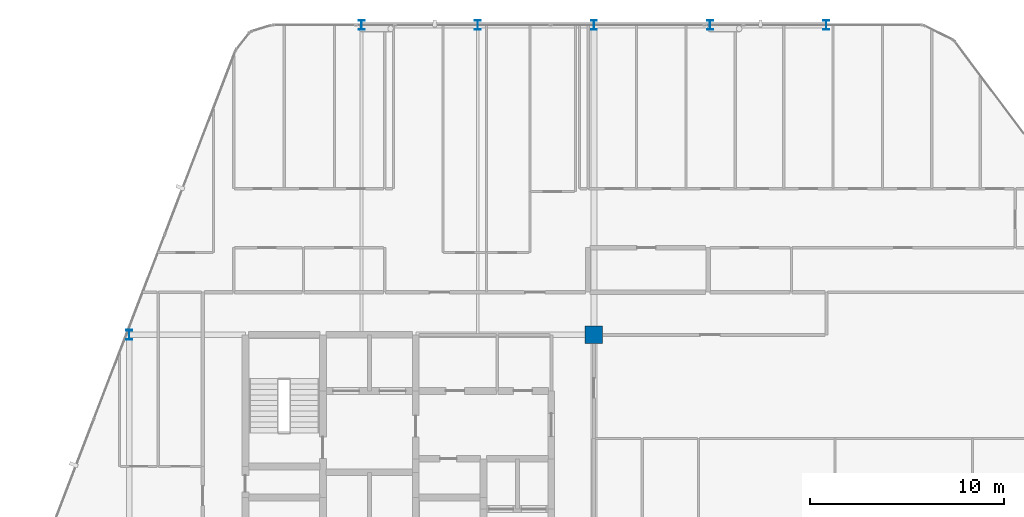
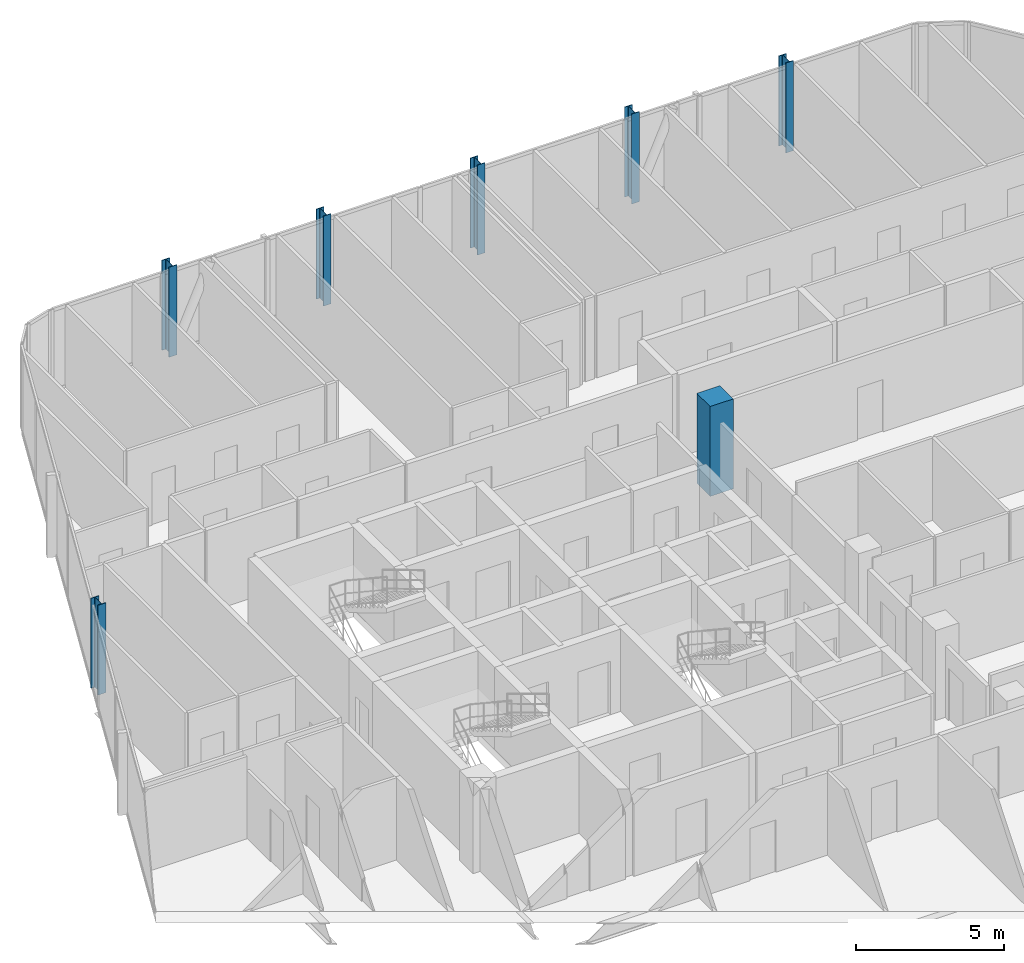
# One storey, part 3 of 31: 7 columns.
"""IFC4 building model written with IfcOpenShell, lengths in metres."""

import ifcopenshell
import ifcopenshell.guid

model = None  # the IFC model being written
_history = None  # IfcOwnerHistory: only IFC2X3 demands one
_inside = {}  # id of a spatial element -> (the spatial element, [elements in it])
_under = {}  # id of a project, library or spatial element -> (it, [spatial elements below it])
_declared = {}  # id of a project -> (the project, [libraries it declares])
_typed = {}  # id of a type object -> (the type object, [elements of that type])
_made_of = {}  # id of a material, layer set ... -> (it, [elements and type objects made of it])


def new_model(schema):
    """Start an empty IFC model of exactly this schema.

    Asked for "IFC4X3", IfcOpenShell would pick the latest addendum, in which some entities
    have other attributes; the version numbers below select the first issue.
    IFC2X3 requires an IfcOwnerHistory on every rooted entity: one is made here for all.
    """
    global model, _history
    if schema == "IFC4X3":
        model = ifcopenshell.file(schema_version=(4, 3, 0, 0))
    else:
        model = ifcopenshell.file(schema=schema)
    _inside.clear()
    _under.clear()
    _declared.clear()
    _typed.clear()
    _made_of.clear()
    _history = None
    if model.schema == "IFC2X3":
        org = make("IfcOrganization", Name="unknown")
        user = make(
            "IfcPersonAndOrganization",
            ThePerson=make("IfcPerson", FamilyName="unknown"),
            TheOrganization=org,
        )
        app = make(
            "IfcApplication",
            ApplicationDeveloper=org,
            Version="unknown",
            ApplicationFullName="unknown",
            ApplicationIdentifier="unknown",
        )
        _history = make(
            "IfcOwnerHistory",
            OwningUser=user,
            OwningApplication=app,
            ChangeAction="ADDED",
            CreationDate=0,
        )
    return model


def make(cls, **values):
    """One entity of the class cls with the attributes given. An attribute that is None is left unset."""
    return model.create_entity(
        cls, **{name: value for name, value in values.items() if value is not None}
    )


def rooted(cls, **values):
    """An entity with a GlobalId (a new one), such as an element, a storey or a relation."""
    return make(cls, GlobalId=ifcopenshell.guid.new(), OwnerHistory=_history, **values)


def si_unit(unit_type, name, prefix=None):
    """IfcSIUnit, for example si_unit("LENGTHUNIT", "METRE", prefix="MILLI")."""
    return make("IfcSIUnit", UnitType=unit_type, Prefix=prefix, Name=name)


def assignment(units):
    """IfcUnitAssignment: the units of a project."""
    return None if units is None else make("IfcUnitAssignment", Units=units)


def point(xyz):
    """IfcCartesianPoint."""
    return None if xyz is None else make("IfcCartesianPoint", Coordinates=xyz)


def direction(xyz):
    """IfcDirection."""
    return None if xyz is None else make("IfcDirection", DirectionRatios=xyz)


def frame(location, z_axis=None, x_axis=None):
    """IfcAxis2Placement3D, a coordinate frame: its origin and axes. An axis left out is left unset."""
    return make(
        "IfcAxis2Placement3D",
        Location=point(location),
        Axis=direction(z_axis),
        RefDirection=direction(x_axis),
    )


def frame_2d(location, x_axis=None):
    """IfcAxis2Placement2D, a coordinate frame in the plane: its origin and x axis."""
    return make(
        "IfcAxis2Placement2D", Location=point(location), RefDirection=direction(x_axis)
    )


def origin():
    """The frame at (0, 0, 0) with its axes left unset."""
    return frame((0.0, 0.0, 0.0))


def origin_2d():
    """The frame at (0, 0) in the plane with its x axis left unset."""
    return frame_2d((0.0, 0.0))


def place(relative_to, where):
    """IfcLocalPlacement: puts the frame where relative to a parent placement (None: the world)."""
    return make(
        "IfcLocalPlacement", PlacementRelTo=relative_to, RelativePlacement=where
    )


def context(
    kind, dimensions, precision=None, world=None, true_north=None, identifier=None
):
    """IfcGeometricRepresentationContext, for example the 3D "Model" context."""
    return make(
        "IfcGeometricRepresentationContext",
        ContextIdentifier=identifier,
        ContextType=kind,
        CoordinateSpaceDimension=dimensions,
        Precision=precision,
        WorldCoordinateSystem=world,
        TrueNorth=true_north,
    )


def subcontext(parent, identifier, kind, view, scale=None):
    """IfcGeometricRepresentationSubContext, for example "Body" below "Model"."""
    return make(
        "IfcGeometricRepresentationSubContext",
        ContextIdentifier=identifier,
        ContextType=kind,
        ParentContext=parent,
        TargetScale=scale,
        TargetView=view,
    )


def project(units=None, contexts=None):
    """IfcProject with its units and contexts."""
    return rooted(
        "IfcProject",
        Name="project",
        RepresentationContexts=contexts,
        UnitsInContext=assignment(units),
    )


def spatial(cls, under=None, at=None, **own):
    """A site, building, storey or space (cls), placed at a placement, below another one or the project."""
    s = rooted(cls, ObjectPlacement=at, **own)
    if under is not None:
        _under.setdefault(under.id(), (under, []))[1].append(s)
    return s


def profile(cls, at=None, kind="AREA", **sizes):
    """A parametric profile (cls). Its sizes go by their IFC names, for example OverallWidth=200.0."""
    return make(cls, ProfileType=kind, Position=at, **sizes)


def rectangle(**sizes):
    """IfcRectangleProfileDef."""
    return profile("IfcRectangleProfileDef", **sizes)


def i_section(**sizes):
    """IfcIShapeProfileDef."""
    return profile("IfcIShapeProfileDef", **sizes)


def extrude(swept, where, along, depth):
    """IfcExtrudedAreaSolid: the profile swept, set in the frame where, extruded along a direction by depth."""
    return make(
        "IfcExtrudedAreaSolid",
        SweptArea=swept,
        Position=where,
        ExtrudedDirection=direction(along),
        Depth=depth,
    )


def shape(context_of_items, identifier, shape_type, items):
    """IfcShapeRepresentation: the items that make up one representation, for example the "Body"."""
    return make(
        "IfcShapeRepresentation",
        ContextOfItems=context_of_items,
        RepresentationIdentifier=identifier,
        RepresentationType=shape_type,
        Items=items,
    )


def material(Name=None, Category=None):
    """IfcMaterial."""
    return make("IfcMaterial", Name=Name, Category=Category)


def material_profile(
    of_material, cross_section, Name=None, Category=None, Priority=None
):
    """IfcMaterialProfile: a cross section and its material."""
    return make(
        "IfcMaterialProfile",
        Name=Name,
        Material=of_material,
        Profile=cross_section,
        Priority=Priority,
        Category=Category,
    )


def profile_set(profiles, Name=None, composite=None):
    """IfcMaterialProfileSet."""
    return make(
        "IfcMaterialProfileSet",
        Name=Name,
        MaterialProfiles=profiles,
        CompositeProfile=composite,
    )


def made_of(thing, what):
    """Note that an element or type object is made of a material, layer set ...; save() writes the relation."""
    if what is not None:
        _made_of.setdefault(what.id(), (what, []))[1].append(thing)
    return thing


def type_object(cls, material=None, **own):
    """A type object (cls), such as IfcWallType, which elements share."""
    return made_of(rooted(cls, **own), material)


def element(
    cls,
    number,
    at=None,
    inside=None,
    cuts=None,
    type_object=None,
    material=None,
    context=None,
    identifier="Body",
    shape_type=None,
    held_by="IfcProductDefinitionShape",
    body=None,
    shapes=None,
    **own,
):
    """One element of the class cls, such as IfcWall. Its Tag is "e" and its number.

    at: its placement. inside: the storey or other place that contains it. cuts: it is an
    opening in that element (IfcRelVoidsElement). A single representation is given by context,
    identifier, shape_type and body (its items); several are given by shapes. held_by: the class
    of the entity that holds the representations. save() writes the other relations.
    """
    e = rooted(cls, Tag="e%d" % number, ObjectPlacement=at, **own)
    if body is not None:
        shapes = [shape(context, identifier, shape_type, body)]
    if shapes is not None:
        e.Representation = make(held_by, Representations=shapes)
    if inside is not None:
        _inside.setdefault(inside.id(), (inside, []))[1].append(e)
    if cuts is not None:
        rooted(
            "IfcRelVoidsElement", RelatingBuildingElement=cuts, RelatedOpeningElement=e
        )
    if type_object is not None:
        _typed.setdefault(type_object.id(), (type_object, []))[1].append(e)
    return made_of(e, material)


def aggregate(whole, parts):
    """IfcRelAggregates: a whole, such as a stair, and the parts it consists of."""
    return rooted("IfcRelAggregates", RelatingObject=whole, RelatedObjects=parts)


def save(model, path):
    """Write the relations noted so far, then the file.

    IfcRelAggregates (storeys below a building ...), IfcRelContainedInSpatialStructure (elements
    in a storey), IfcRelDefinesByType, IfcRelAssociatesMaterial and IfcRelDeclares: one each for
    every whole, place, type object, material and project.
    """
    for whole, parts in _under.values():
        aggregate(whole, parts)
    for where, things in _inside.values():
        rooted(
            "IfcRelContainedInSpatialStructure",
            RelatedElements=things,
            RelatingStructure=where,
        )
    for kind, things in _typed.values():
        rooted("IfcRelDefinesByType", RelatedObjects=things, RelatingType=kind)
    for what, things in _made_of.values():
        rooted("IfcRelAssociatesMaterial", RelatedObjects=things, RelatingMaterial=what)
    for by, libraries in _declared.values():
        rooted("IfcRelDeclares", RelatingContext=by, RelatedDefinitions=libraries)
    model.write(path)


model = new_model("IFC4")

# Units and contexts
model_context = context("Model", 3, precision=1e-05, world=origin(), true_north=direction((0.0, 1.0)))
body_context = subcontext(model_context, "Body", "Model", "MODEL_VIEW")
ifc_project = project(units=[si_unit("LENGTHUNIT", "METRE"), si_unit("AREAUNIT", "SQUARE_METRE"), si_unit("VOLUMEUNIT", "CUBIC_METRE"), si_unit("PLANEANGLEUNIT", "RADIAN"), si_unit("MASSUNIT", "GRAM", prefix="KILO")], contexts=[model_context])

# Site, building, storey
site_placement = place(None, origin())
site = spatial("IfcSite", under=ifc_project, at=site_placement, CompositionType="ELEMENT")
building_placement = place(site_placement, origin())
building = spatial("IfcBuilding", under=site, at=building_placement, Name="Keshet Zoharim Tower", CompositionType="ELEMENT")
storey_placement = place(building_placement, frame((0.0, 0.0, 148.300048828125)))
storey = spatial("IfcBuildingStorey", under=building, at=storey_placement, Name="L36", CompositionType="ELEMENT", Elevation=148.300048828125)

# Columns
ifc_material_1 = material(Name="Steel S355", Category="steel")
ifc_material_profile_1 = material_profile(ifc_material_1, i_section(OverallWidth=0.300048828125, OverallDepth=0.5, WebThickness=0.014404296875, FlangeThickness=0.028076171875, FilletRadius=0.027099609375, at=origin_2d()), Name="HEB500")
ifc_profile_set_1 = profile_set([ifc_material_profile_1], Name="Steel S355")
column_type_1 = type_object("IfcColumnType", Name="COL-HEB500", PredefinedType="COLUMN", material=ifc_profile_set_1)
for number, where, z_axis, x_axis, name in (
    (1, (9.0, 37.89990234375, 0.0), (0.0, 0.0, 1.0), (1.0, 0.0, 0.0), "L36 Column 2H"),
    (2, (21.0, 53.89990234375, 0.0), (0.0, 0.0, 1.0), (1.0, 0.0, 0.0), "L36 Column 4L"),
    (3, (27.0, 53.89990234375, 0.0), (0.0, 0.0, 1.0), (1.0, 0.0, 0.0), "L36 Column 5L"),
    (4, (33.0, 53.89990234375, 0.0), (0.0, 0.0, 1.0), (1.0, 0.0, 0.0), "L36 Column 6L"),
    (5, (39.0, 53.89990234375, 0.0), (0.0, 0.0, 1.0), (1.0, 0.0, 0.0), "L36 Column 7L"),
    (6, (45.0, 53.89990234375, 0.0), (0.0, 0.0, 1.0), (1.0, 0.0, 0.0), "L36 Column 8L"),
):
    element("IfcColumn", number, at=place(storey_placement, frame(where, z_axis=z_axis, x_axis=x_axis)), inside=storey, type_object=column_type_1, Name=name, PredefinedType="COLUMN", context=body_context, shape_type="SweptSolid", body=[
        extrude(i_section(OverallWidth=0.300048828125, OverallDepth=0.5, WebThickness=0.014404296875, FlangeThickness=0.028076171875, FilletRadius=0.027099609375, at=origin_2d()), origin(), (0.0, 0.0, 1.0), 3.699951171875),
    ])
ifc_material_2 = material(Name="Concrete C60/75", Category="concrete")
ifc_material_profile_2 = material_profile(ifc_material_2, rectangle(XDim=0.89990234375, YDim=0.89990234375, at=origin_2d()), Name="RC900x900")
ifc_profile_set_2 = profile_set([ifc_material_profile_2], Name="Concrete C60/75")
column_type_2 = type_object("IfcColumnType", Name="COL-RC900", PredefinedType="COLUMN", material=ifc_profile_set_2)
column_placement = place(storey_placement, frame((33.0, 37.89990234375, 0.0), z_axis=(0.0, 0.0, 1.0), x_axis=(1.0, 0.0, 0.0)))
element("IfcColumn", 7, at=column_placement, inside=storey, type_object=column_type_2, Name="L36 Column 6H", PredefinedType="COLUMN", context=body_context, shape_type="SweptSolid", body=[
    extrude(rectangle(XDim=0.89990234375, YDim=0.89990234375, at=origin_2d()), origin(), (0.0, 0.0, 1.0), 3.699951171875),
])

save(model, "model.ifc")
